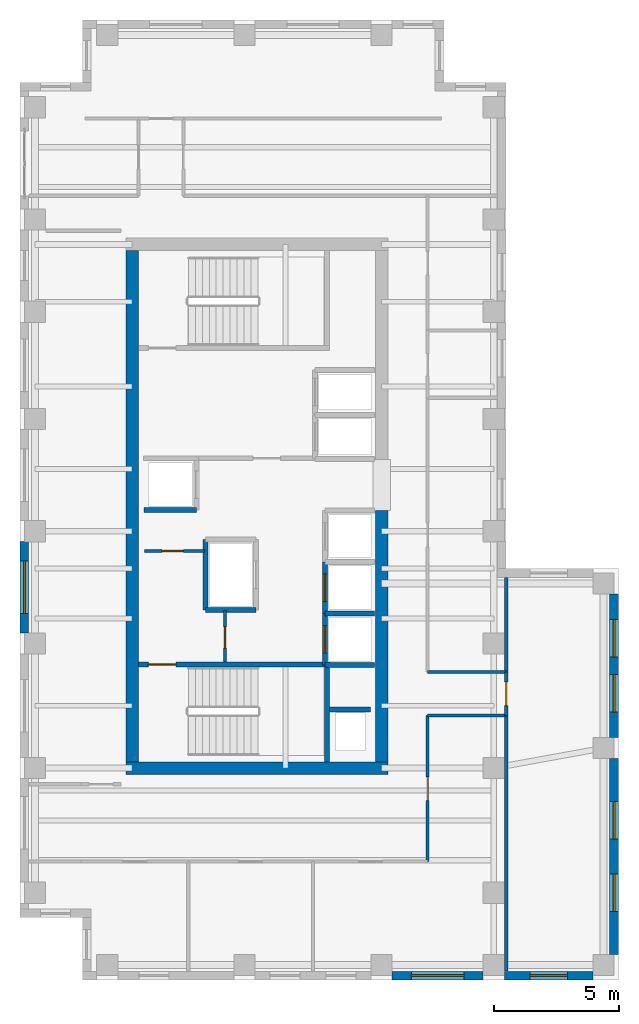
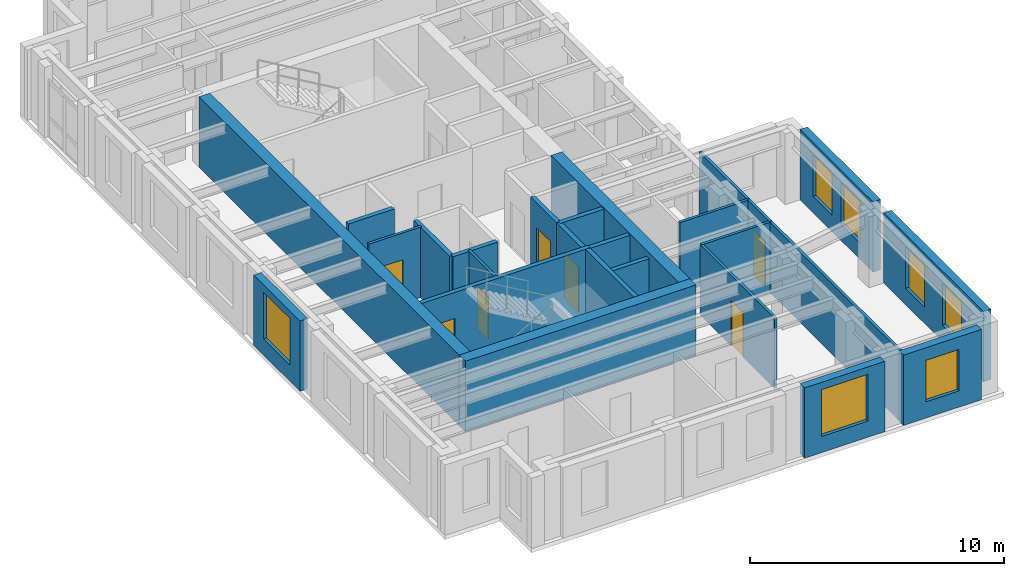
# One storey, part 6 of 10: 26 walls, 7 doors, 7 windows, 14 openings.
"""IFC4 building model written with IfcOpenShell, lengths in metres."""

from ifc_helpers import new_model, si_unit, direction, frame, frame_2d, origin, place, context, subcontext, project, spatial, rectangle, extrude, source, transform, mapped, material, layer, layer_set, type_object, element, fill, save


model = new_model("IFC4")

# Units and contexts
model_context = context("Model", 3, precision=1e-05, world=origin(), true_north=direction((0.0, 1.0)))
body_context = subcontext(model_context, "Body", "Model", "MODEL_VIEW")
ifc_project = project(units=[si_unit("LENGTHUNIT", "METRE"), si_unit("AREAUNIT", "SQUARE_METRE"), si_unit("VOLUMEUNIT", "CUBIC_METRE"), si_unit("PLANEANGLEUNIT", "RADIAN"), si_unit("MASSUNIT", "GRAM", prefix="KILO")], contexts=[model_context])

# Site, building, storey
site_placement = place(None, origin())
site = spatial("IfcSite", under=ifc_project, at=site_placement, CompositionType="ELEMENT")
building_placement = place(site_placement, origin())
building = spatial("IfcBuilding", under=site, at=building_placement, Name="Kharzan Plaza Tower", CompositionType="ELEMENT")
storey_placement = place(building_placement, frame((0.0, 0.0, 270.0)))
storey = spatial("IfcBuildingStorey", under=building, at=storey_placement, Name="L73", CompositionType="ELEMENT", Elevation=270.0)

# Wall, opening, window
ifc_material_1 = material(Name="Concrete C40/50", Category="concrete")
ifc_layer_1 = layer(ifc_material_1, 0.35009765625)
ifc_layer_set_1 = layer_set([ifc_layer_1], Name="Concrete C40/50")
wall_type_1 = type_object("IfcWallType", Name="WL-EXT-MAS-Z4", PredefinedType="SOLIDWALL", material=ifc_layer_set_1)
wall_1_placement = place(storey_placement, frame((0.175048828125, 17.576904296875, 0.0), z_axis=(0.0, 0.0, 1.0), x_axis=(0.0, -1.0, 0.0)))
wall_1 = element("IfcWall", 1, at=wall_1_placement, inside=storey, type_object=wall_type_1, Name="L73 Masonry-Frame Exterior Wall 14", PredefinedType="SOLIDWALL", context=body_context, shape_type="SweptSolid", body=[
    extrude(rectangle(XDim=3.65380859375, YDim=0.35009765625, at=frame_2d((1.826904296875, 0.0))), origin(), (0.0, 0.0, 1.0), 3.385009765625),
])
opening_1_placement = place(wall_1_placement, frame((0.777099609375, 0.0, 0.780029296875)))
opening_1 = element("IfcOpeningElement", 2, at=opening_1_placement, cuts=wall_1, Name="Opening W6", PredefinedType="OPENING", context=body_context, shape_type="SweptSolid", body=[
    extrude(rectangle(XDim=2.10009765625, YDim=2.25, at=frame_2d((1.050048828125, 1.125))), frame((0.0, 0.18505859375, 0.0), z_axis=(0.0, -1.0, 0.0), x_axis=(1.0, 0.0, 0.0)), (0.0, 0.0, 1.0), 0.3701171875),
])
ifc_material_2 = material(Name="Low-E Double Glazing", Category="glass")
window_type_1 = type_object("IfcWindowType", Name="WN-EXEC-2100x2250", PartitioningType="SINGLE_PANEL", PredefinedType="WINDOW", material=ifc_material_2)
shared_shape_1 = source(origin(), body_context, "Body", "SweptSolid", [
    extrude(rectangle(XDim=2.10009765625, YDim=2.25, at=frame_2d((1.050048828125, 1.125))), frame((0.0, 0.030029296875, 0.0), z_axis=(0.0, -1.0, 0.0), x_axis=(1.0, 0.0, 0.0)), (0.0, 0.0, 1.0), 0.06005859375),
])
window_1_placement = place(opening_1_placement, origin())
window_1 = element("IfcWindow", 3, at=window_1_placement, inside=storey, type_object=window_type_1, Name="L73 Recessed Solar-Control Window 14-1", OverallHeight=2.25, OverallWidth=2.10009765625, PartitioningType="SINGLE_PANEL", PredefinedType="WINDOW", context=body_context, shape_type="MappedRepresentation", body=[
    mapped(shared_shape_1, transform((0.0, 0.0, 0.0), x_axis=(1.0, 0.0, 0.0), y_axis=(0.0, 1.0, 0.0), z_axis=(0.0, 0.0, 1.0))),
])
fill(opening_1, window_1)

wall_2_placement = place(storey_placement, frame((14.923095703125, 0.175048828125, 0.0), z_axis=(0.0, 0.0, 1.0), x_axis=(1.0, 0.0, 0.0)))
wall_2 = element("IfcWall", 4, at=wall_2_placement, inside=storey, type_object=wall_type_1, Name="L73 Masonry-Frame Exterior Wall 23", PredefinedType="SOLIDWALL", context=body_context, shape_type="SweptSolid", body=[
    extrude(rectangle(XDim=3.65380859375, YDim=0.35009765625, at=frame_2d((1.826904296875, 0.0))), origin(), (0.0, 0.0, 1.0), 3.385009765625),
])
opening_2_placement = place(wall_2_placement, frame((0.777099609375, 0.0, 0.780029296875)))
opening_2 = element("IfcOpeningElement", 5, at=opening_2_placement, cuts=wall_2, Name="Opening W6", PredefinedType="OPENING", context=body_context, shape_type="SweptSolid", body=[
    extrude(rectangle(XDim=2.10009765625, YDim=2.25, at=frame_2d((1.050048828125, 1.125))), frame((0.0, 0.18505859375, 0.0), z_axis=(0.0, -1.0, 0.0), x_axis=(1.0, 0.0, 0.0)), (0.0, 0.0, 1.0), 0.3701171875),
])
window_2_placement = place(opening_2_placement, origin())
window_2 = element("IfcWindow", 6, at=window_2_placement, inside=storey, type_object=window_type_1, Name="L73 Recessed Solar-Control Window 23-1", OverallHeight=2.25, OverallWidth=2.10009765625, PartitioningType="SINGLE_PANEL", PredefinedType="WINDOW", context=body_context, shape_type="MappedRepresentation", body=[
    mapped(shared_shape_1, transform((0.0, 0.0, 0.0), x_axis=(1.0, 0.0, 0.0), y_axis=(0.0, 1.0, 0.0), z_axis=(0.0, 0.0, 1.0))),
])
fill(opening_2, window_2)

wall_3_placement = place(storey_placement, frame((19.423095703125, 0.175048828125, 0.0), z_axis=(0.0, 0.0, 1.0), x_axis=(1.0, 0.0, 0.0)))
wall_3 = element("IfcWall", 7, at=wall_3_placement, inside=storey, type_object=wall_type_1, Name="L73 Masonry-Frame Exterior Wall 24", PredefinedType="SOLIDWALL", context=body_context, shape_type="SweptSolid", body=[
    extrude(rectangle(XDim=3.553955078125, YDim=0.35009765625, at=frame_2d((1.77685546875, 0.0))), origin(), (0.0, 0.0, 1.0), 3.385009765625),
])
opening_3_placement = place(wall_3_placement, frame((1.030517578125, 0.0, 0.780029296875)))
opening_3 = element("IfcOpeningElement", 8, at=opening_3_placement, cuts=wall_3, Name="Opening W5", PredefinedType="OPENING", context=body_context, shape_type="SweptSolid", body=[
    extrude(rectangle(XDim=1.5, YDim=2.0, at=frame_2d((0.75, 1.0))), frame((0.0, 0.18505859375, 0.0), z_axis=(0.0, -1.0, 0.0), x_axis=(1.0, 0.0, 0.0)), (0.0, 0.0, 1.0), 0.3701171875),
])
window_type_2 = type_object("IfcWindowType", Name="WN-SLT-1500x2000", PartitioningType="SINGLE_PANEL", PredefinedType="WINDOW", material=ifc_material_2)
shared_shape_2 = source(origin(), body_context, "Body", "SweptSolid", [
    extrude(rectangle(XDim=1.5, YDim=2.0, at=frame_2d((0.75, 1.0))), frame((0.0, 0.030029296875, 0.0), z_axis=(0.0, -1.0, 0.0), x_axis=(1.0, 0.0, 0.0)), (0.0, 0.0, 1.0), 0.06005859375),
])
window_3_placement = place(opening_3_placement, origin())
window_3 = element("IfcWindow", 9, at=window_3_placement, inside=storey, type_object=window_type_2, Name="L73 Recessed Solar-Control Window 24-1", OverallHeight=2.0, OverallWidth=1.5, PartitioningType="SINGLE_PANEL", PredefinedType="WINDOW", context=body_context, shape_type="MappedRepresentation", body=[
    mapped(shared_shape_2, transform((0.0, 0.0, 0.0), x_axis=(1.0, 0.0, 0.0), y_axis=(0.0, 1.0, 0.0), z_axis=(0.0, 0.0, 1.0))),
])
fill(opening_3, window_3)

# Wall, openings, windows
wall_4_placement = place(storey_placement, frame((23.824951171875, 1.02294921875, 0.0), z_axis=(0.0, 0.0, 1.0), x_axis=(0.0, 1.0, 0.0)))
wall_4 = element("IfcWall", 10, at=wall_4_placement, inside=storey, type_object=wall_type_1, Name="L73 Masonry-Frame Exterior Wall 25", PredefinedType="SOLIDWALL", context=body_context, shape_type="SweptSolid", body=[
    extrude(rectangle(XDim=7.85400390625, YDim=0.35009765625, at=frame_2d((3.927001953125, 0.0))), origin(), (0.0, 0.0, 1.0), 3.385009765625),
])
opening_4_placement = place(wall_4_placement, frame((1.724609375, 0.0, 0.780029296875)))
opening_4 = element("IfcOpeningElement", 11, at=opening_4_placement, cuts=wall_4, Name="Opening W5", PredefinedType="OPENING", context=body_context, shape_type="SweptSolid", body=[
    extrude(rectangle(XDim=1.5, YDim=2.0, at=frame_2d((0.75, 1.0))), frame((0.0, 0.18505859375, 0.0), z_axis=(0.0, -1.0, 0.0), x_axis=(1.0, 0.0, 0.0)), (0.0, 0.0, 1.0), 0.3701171875),
])
opening_5_placement = place(wall_4_placement, frame((4.62939453125, 0.0, 0.780029296875)))
opening_5 = element("IfcOpeningElement", 12, at=opening_5_placement, cuts=wall_4, Name="Opening W5", PredefinedType="OPENING", context=body_context, shape_type="SweptSolid", body=[
    extrude(rectangle(XDim=1.5, YDim=2.0, at=frame_2d((0.75, 1.0))), frame((0.0, 0.18505859375, 0.0), z_axis=(0.0, -1.0, 0.0), x_axis=(1.0, 0.0, 0.0)), (0.0, 0.0, 1.0), 0.3701171875),
])
window_4_placement = place(opening_4_placement, origin())
window_4 = element("IfcWindow", 13, at=window_4_placement, inside=storey, type_object=window_type_2, Name="L73 Recessed Solar-Control Window 25-1", OverallHeight=2.0, OverallWidth=1.5, PartitioningType="SINGLE_PANEL", PredefinedType="WINDOW", context=body_context, shape_type="MappedRepresentation", body=[
    mapped(shared_shape_2, transform((0.0, 0.0, 0.0), x_axis=(1.0, 0.0, 0.0), y_axis=(0.0, 1.0, 0.0), z_axis=(0.0, 0.0, 1.0))),
])
fill(opening_4, window_4)
window_5_placement = place(opening_5_placement, origin())
window_5 = element("IfcWindow", 14, at=window_5_placement, inside=storey, type_object=window_type_2, Name="L73 Recessed Solar-Control Window 25-2", OverallHeight=2.0, OverallWidth=1.5, PartitioningType="SINGLE_PANEL", PredefinedType="WINDOW", context=body_context, shape_type="MappedRepresentation", body=[
    mapped(shared_shape_2, transform((0.0, 0.0, 0.0), x_axis=(1.0, 0.0, 0.0), y_axis=(0.0, 1.0, 0.0), z_axis=(0.0, 0.0, 1.0))),
])
fill(opening_5, window_5)

wall_5_placement = place(storey_placement, frame((23.824951171875, 9.722900390625, 0.0), z_axis=(0.0, 0.0, 1.0), x_axis=(0.0, 1.0, 0.0)))
wall_5 = element("IfcWall", 15, at=wall_5_placement, inside=storey, type_object=wall_type_1, Name="L73 Masonry-Frame Exterior Wall 26", PredefinedType="SOLIDWALL", context=body_context, shape_type="SweptSolid", body=[
    extrude(rectangle(XDim=5.754150390625, YDim=0.35009765625, at=frame_2d((2.876953125, 0.0))), origin(), (0.0, 0.0, 1.0), 3.385009765625),
])
opening_6_placement = place(wall_5_placement, frame((1.024658203125, 0.0, 0.780029296875)))
opening_6 = element("IfcOpeningElement", 16, at=opening_6_placement, cuts=wall_5, Name="Opening W5", PredefinedType="OPENING", context=body_context, shape_type="SweptSolid", body=[
    extrude(rectangle(XDim=1.5, YDim=2.0, at=frame_2d((0.75, 1.0))), frame((0.0, 0.18505859375, 0.0), z_axis=(0.0, -1.0, 0.0), x_axis=(1.0, 0.0, 0.0)), (0.0, 0.0, 1.0), 0.3701171875),
])
opening_7_placement = place(wall_5_placement, frame((3.229248046875, 0.0, 0.780029296875)))
opening_7 = element("IfcOpeningElement", 17, at=opening_7_placement, cuts=wall_5, Name="Opening W5", PredefinedType="OPENING", context=body_context, shape_type="SweptSolid", body=[
    extrude(rectangle(XDim=1.5, YDim=2.0, at=frame_2d((0.75, 1.0))), frame((0.0, 0.18505859375, 0.0), z_axis=(0.0, -1.0, 0.0), x_axis=(1.0, 0.0, 0.0)), (0.0, 0.0, 1.0), 0.3701171875),
])
window_6_placement = place(opening_6_placement, origin())
window_6 = element("IfcWindow", 18, at=window_6_placement, inside=storey, type_object=window_type_2, Name="L73 Recessed Solar-Control Window 26-1", OverallHeight=2.0, OverallWidth=1.5, PartitioningType="SINGLE_PANEL", PredefinedType="WINDOW", context=body_context, shape_type="MappedRepresentation", body=[
    mapped(shared_shape_2, transform((0.0, 0.0, 0.0), x_axis=(1.0, 0.0, 0.0), y_axis=(0.0, 1.0, 0.0), z_axis=(0.0, 0.0, 1.0))),
])
fill(opening_6, window_6)
window_7_placement = place(opening_7_placement, origin())
window_7 = element("IfcWindow", 19, at=window_7_placement, inside=storey, type_object=window_type_2, Name="L73 Recessed Solar-Control Window 26-2", OverallHeight=2.0, OverallWidth=1.5, PartitioningType="SINGLE_PANEL", PredefinedType="WINDOW", context=body_context, shape_type="MappedRepresentation", body=[
    mapped(shared_shape_2, transform((0.0, 0.0, 0.0), x_axis=(1.0, 0.0, 0.0), y_axis=(0.0, 1.0, 0.0), z_axis=(0.0, 0.0, 1.0))),
])
fill(opening_7, window_7)

# Wall, opening, door
ifc_material_3 = material(Name="Fire-Rated Gypsum Board Partition", Category="gypsum")
ifc_layer_2 = layer(ifc_material_3, 0.125)
ifc_layer_set_2 = layer_set([ifc_layer_2], Name="Fire-Rated Gypsum Board Partition")
wall_type_2 = type_object("IfcWallType", Name="WL-INT-PART-125", PredefinedType="PARTITIONING", material=ifc_layer_set_2)
wall_6_placement = place(storey_placement, frame((8.219970703125, 12.75, 0.0), z_axis=(0.0, 0.0, 1.0), x_axis=(0.0, 1.0, 0.0)))
wall_6 = element("IfcWall", 20, at=wall_6_placement, inside=storey, type_object=wall_type_2, Name="L73 Interior Partition CA-K1E", PredefinedType="PARTITIONING", context=body_context, shape_type="SweptSolid", body=[
    extrude(rectangle(XDim=2.070068359375, YDim=0.125, at=frame_2d((1.03515625, 0.0))), origin(), (0.0, 0.0, 1.0), 3.385009765625),
])
opening_8_placement = place(wall_6_placement, frame((0.56005859375, 0.0, 0.0)))
opening_8 = element("IfcOpeningElement", 21, at=opening_8_placement, cuts=wall_6, Name="Opening RD1", PredefinedType="OPENING", context=body_context, shape_type="SweptSolid", body=[
    extrude(rectangle(XDim=0.85009765625, YDim=2.10009765625, at=frame_2d((0.425048828125, 1.050048828125))), frame((0.0, 0.072509765625, 0.0), z_axis=(0.0, -1.0, 0.0), x_axis=(1.0, 0.0, 0.0)), (0.0, 0.0, 1.0), 0.14501953125),
])
ifc_material_4 = material(Name="Powder-Coated Fire-Rated Steel", Category="steel")
door_type_1 = type_object("IfcDoorType", Name="DR-RISER-900", OperationType="NOTDEFINED", PredefinedType="DOOR", material=ifc_material_4)
shared_shape_3 = source(origin(), body_context, "Body", "SweptSolid", [
    extrude(rectangle(XDim=0.85009765625, YDim=2.10009765625, at=frame_2d((0.425048828125, 1.050048828125))), frame((0.0, 0.02490234375, 0.0), z_axis=(0.0, -1.0, 0.0), x_axis=(1.0, 0.0, 0.0)), (0.0, 0.0, 1.0), 0.050048828125),
])
door_1_placement = place(opening_8_placement, origin())
door_1 = element("IfcDoor", 22, at=door_1_placement, inside=storey, type_object=door_type_1, Name="L73 Core Service Store Door", OperationType="SINGLE_SWING_LEFT", OverallHeight=2.10009765625, OverallWidth=0.85009765625, PredefinedType="DOOR", context=body_context, shape_type="MappedRepresentation", body=[
    mapped(shared_shape_3, transform((0.0, 0.0, 0.0), x_axis=(1.0, 0.0, 0.0), y_axis=(0.0, 1.0, 0.0), z_axis=(0.0, 0.0, 1.0))),
])
fill(opening_8, door_1)

wall_7_placement = place(storey_placement, frame((5.0, 17.199951171875, 0.0), z_axis=(0.0, 0.0, 1.0), x_axis=(1.0, 0.0, 0.0)))
wall_7 = element("IfcWall", 23, at=wall_7_placement, inside=storey, type_object=wall_type_2, Name="L73 Interior Partition CA-K1N2", PredefinedType="PARTITIONING", context=body_context, shape_type="SweptSolid", body=[
    extrude(rectangle(XDim=2.39990234375, YDim=0.125, at=frame_2d((1.199951171875, 0.0))), origin(), (0.0, 0.0, 1.0), 3.385009765625),
])
opening_9_placement = place(wall_7_placement, frame((0.699951171875, 0.0, 0.0)))
opening_9 = element("IfcOpeningElement", 24, at=opening_9_placement, cuts=wall_7, Name="Opening RD1", PredefinedType="OPENING", context=body_context, shape_type="SweptSolid", body=[
    extrude(rectangle(XDim=0.85009765625, YDim=2.10009765625, at=frame_2d((0.425048828125, 1.050048828125))), frame((0.0, 0.072509765625, 0.0), z_axis=(0.0, -1.0, 0.0), x_axis=(1.0, 0.0, 0.0)), (0.0, 0.0, 1.0), 0.14501953125),
])
door_2_placement = place(opening_9_placement, origin())
door_2 = element("IfcDoor", 25, at=door_2_placement, inside=storey, type_object=door_type_1, Name="L73 Core Storage Room Door", OperationType="SINGLE_SWING_RIGHT", OverallHeight=2.10009765625, OverallWidth=0.85009765625, PredefinedType="DOOR", context=body_context, shape_type="MappedRepresentation", body=[
    mapped(shared_shape_3, transform((0.0, 0.0, 0.0), x_axis=(1.0, 0.0, 0.0), y_axis=(0.0, 1.0, 0.0), z_axis=(0.0, 0.0, 1.0))),
])
fill(opening_9, door_2)

wall_8_placement = place(storey_placement, frame((16.35009765625, 4.75, 0.0), z_axis=(0.0, 0.0, 1.0), x_axis=(0.0, 1.0, 0.0)))
wall_8 = element("IfcWall", 26, at=wall_8_placement, inside=storey, type_object=wall_type_2, Name="L73 Interior Partition SH-AEW1", PredefinedType="PARTITIONING", context=body_context, shape_type="SweptSolid", body=[
    extrude(rectangle(XDim=5.85009765625, YDim=0.125, at=frame_2d((2.925048828125, 0.0))), origin(), (0.0, 0.0, 1.0), 3.385009765625),
])
opening_10_placement = place(wall_8_placement, frame((2.449951171875, 0.0, 0.0)))
opening_10 = element("IfcOpeningElement", 27, at=opening_10_placement, cuts=wall_8, Name="Opening OD1", PredefinedType="OPENING", context=body_context, shape_type="SweptSolid", body=[
    extrude(rectangle(XDim=0.949951171875, YDim=2.14990234375, at=frame_2d((0.47509765625, 1.074951171875))), frame((0.0, 0.072509765625, 0.0), z_axis=(0.0, -1.0, 0.0), x_axis=(1.0, 0.0, 0.0)), (0.0, 0.0, 1.0), 0.14501953125),
])
ifc_material_5 = material(Name="Acoustic Solid-Core Stained Oak", Category="timber")
door_type_2 = type_object("IfcDoorType", Name="DR-OFF-SINGLE", OperationType="NOTDEFINED", PredefinedType="DOOR", material=ifc_material_5)
shared_shape_4 = source(origin(), body_context, "Body", "SweptSolid", [
    extrude(rectangle(XDim=0.949951171875, YDim=2.14990234375, at=frame_2d((0.47509765625, 1.074951171875))), frame((0.0, 0.02490234375, 0.0), z_axis=(0.0, -1.0, 0.0), x_axis=(1.0, 0.0, 0.0)), (0.0, 0.0, 1.0), 0.050048828125),
])
door_3_placement = place(opening_10_placement, origin())
door_3 = element("IfcDoor", 28, at=door_3_placement, inside=storey, type_object=door_type_2, Name="L73 South Slot Office Door", OperationType="SINGLE_SWING_LEFT", OverallHeight=2.14990234375, OverallWidth=0.949951171875, PredefinedType="DOOR", context=body_context, shape_type="MappedRepresentation", body=[
    mapped(shared_shape_4, transform((0.0, 0.0, 0.0), x_axis=(1.0, 0.0, 0.0), y_axis=(0.0, 1.0, 0.0), z_axis=(0.0, 0.0, 1.0))),
])
fill(opening_10, door_3)

wall_9_placement = place(storey_placement, frame((19.5, 10.60009765625, 0.0), z_axis=(0.0, 0.0, 1.0), x_axis=(0.0, 1.0, 0.0)))
wall_9 = element("IfcWall", 29, at=wall_9_placement, inside=storey, type_object=wall_type_2, Name="L73 Interior Partition SH-SHD1", PredefinedType="PARTITIONING", context=body_context, shape_type="SweptSolid", body=[
    extrude(rectangle(XDim=1.75, YDim=0.125, at=frame_2d((0.875, 0.0))), origin(), (0.0, 0.0, 1.0), 3.385009765625),
])
opening_11_placement = place(wall_9_placement, frame((0.39990234375, 0.0, 0.0)))
opening_11 = element("IfcOpeningElement", 30, at=opening_11_placement, cuts=wall_9, Name="Opening OD1", PredefinedType="OPENING", context=body_context, shape_type="SweptSolid", body=[
    extrude(rectangle(XDim=0.949951171875, YDim=2.14990234375, at=frame_2d((0.47509765625, 1.074951171875))), frame((0.0, 0.072509765625, 0.0), z_axis=(0.0, -1.0, 0.0), x_axis=(1.0, 0.0, 0.0)), (0.0, 0.0, 1.0), 0.14501953125),
])
door_4_placement = place(opening_11_placement, origin())
door_4 = element("IfcDoor", 31, at=door_4_placement, inside=storey, type_object=door_type_2, Name="L73 Shoulder Conference Door", OperationType="SINGLE_SWING_RIGHT", OverallHeight=2.14990234375, OverallWidth=0.949951171875, PredefinedType="DOOR", context=body_context, shape_type="MappedRepresentation", body=[
    mapped(shared_shape_4, transform((0.0, 0.0, 0.0), x_axis=(1.0, 0.0, 0.0), y_axis=(0.0, 1.0, 0.0), z_axis=(0.0, 0.0, 1.0))),
])
fill(opening_11, door_4)

ifc_layer_3 = layer(ifc_material_1, 0.199951171875)
ifc_layer_set_3 = layer_set([ifc_layer_3], Name="Concrete C40/50")
wall_type_3 = type_object("IfcWallType", Name="WL-INT-SHAFT-200", PredefinedType="PARTITIONING", material=ifc_layer_set_3)
wall_10_placement = place(storey_placement, frame((12.22998046875, 12.6298828125, 0.0), z_axis=(0.0, 0.0, 1.0), x_axis=(0.0, 1.0, 0.0)))
wall_10 = element("IfcWall", 32, at=wall_10_placement, inside=storey, type_object=wall_type_3, Name="L73 Interior Partition SHF-PL-H1-W", PredefinedType="PARTITIONING", context=body_context, shape_type="SweptSolid", body=[
    extrude(rectangle(XDim=2.070068359375, YDim=0.199951171875, at=frame_2d((1.03515625, 0.0))), origin(), (0.0, 0.0, 1.0), 3.385009765625),
])
opening_12_placement = place(wall_10_placement, frame((0.485107421875, 0.0, 0.0)))
opening_12 = element("IfcOpeningElement", 33, at=opening_12_placement, cuts=wall_10, Name="Opening LD", PredefinedType="OPENING", context=body_context, shape_type="SweptSolid", body=[
    extrude(rectangle(XDim=1.10009765625, YDim=2.199951171875, at=frame_2d((0.550048828125, 1.10009765625))), frame((0.0, 0.10986328125, 0.0), z_axis=(0.0, -1.0, 0.0), x_axis=(1.0, 0.0, 0.0)), (0.0, 0.0, 1.0), 0.219970703125),
])
ifc_material_6 = material(Name="Brushed Stainless Steel", Category="steel")
door_type_3 = type_object("IfcDoorType", Name="DR-LIFT-SLIDE", OperationType="SLIDING_TO_LEFT", PredefinedType="DOOR", material=ifc_material_6)
shared_shape_5 = source(origin(), body_context, "Body", "SweptSolid", [
    extrude(rectangle(XDim=1.10009765625, YDim=2.199951171875, at=frame_2d((0.550048828125, 1.10009765625))), frame((0.0, 0.02490234375, 0.0), z_axis=(0.0, -1.0, 0.0), x_axis=(1.0, 0.0, 0.0)), (0.0, 0.0, 1.0), 0.050048828125),
])
door_5_placement = place(opening_12_placement, origin())
door_5 = element("IfcDoor", 34, at=door_5_placement, inside=storey, type_object=door_type_3, Name="L73 High-Rise Passenger Lift PL-H1 Sliding Landing Door", OperationType="SLIDING_TO_LEFT", OverallHeight=2.199951171875, OverallWidth=1.10009765625, PredefinedType="DOOR", context=body_context, shape_type="MappedRepresentation", body=[
    mapped(shared_shape_5, transform((0.0, 0.0, 0.0), x_axis=(1.0, 0.0, 0.0), y_axis=(0.0, 1.0, 0.0), z_axis=(0.0, 0.0, 1.0))),
])
fill(opening_12, door_5)

wall_11_placement = place(storey_placement, frame((12.22998046875, 14.699951171875, 0.0), z_axis=(0.0, 0.0, 1.0), x_axis=(0.0, 1.0, 0.0)))
wall_11 = element("IfcWall", 35, at=wall_11_placement, inside=storey, type_object=wall_type_3, Name="L73 Interior Partition SHF-PL-H2-W", PredefinedType="PARTITIONING", context=body_context, shape_type="SweptSolid", body=[
    extrude(rectangle(XDim=2.070068359375, YDim=0.199951171875, at=frame_2d((1.03515625, 0.0))), origin(), (0.0, 0.0, 1.0), 3.385009765625),
])
opening_13_placement = place(wall_11_placement, frame((0.485107421875, 0.0, 0.0)))
opening_13 = element("IfcOpeningElement", 36, at=opening_13_placement, cuts=wall_11, Name="Opening LD", PredefinedType="OPENING", context=body_context, shape_type="SweptSolid", body=[
    extrude(rectangle(XDim=1.10009765625, YDim=2.199951171875, at=frame_2d((0.550048828125, 1.10009765625))), frame((0.0, 0.10986328125, 0.0), z_axis=(0.0, -1.0, 0.0), x_axis=(1.0, 0.0, 0.0)), (0.0, 0.0, 1.0), 0.219970703125),
])
door_6_placement = place(opening_13_placement, origin())
door_6 = element("IfcDoor", 37, at=door_6_placement, inside=storey, type_object=door_type_3, Name="L73 High-Rise Passenger Lift PL-H2 Sliding Landing Door", OperationType="SLIDING_TO_LEFT", OverallHeight=2.199951171875, OverallWidth=1.10009765625, PredefinedType="DOOR", context=body_context, shape_type="MappedRepresentation", body=[
    mapped(shared_shape_5, transform((0.0, 0.0, 0.0), x_axis=(1.0, 0.0, 0.0), y_axis=(0.0, 1.0, 0.0), z_axis=(0.0, 0.0, 1.0))),
])
fill(opening_13, door_6)

ifc_material_7 = material(Name="Concrete C50/60", Category="concrete")
ifc_layer_4 = layer(ifc_material_7, 0.199951171875)
ifc_layer_set_4 = layer_set([ifc_layer_4], Name="Concrete C50/60")
wall_type_4 = type_object("IfcWallType", Name="WL-SHAFT-RC200", PredefinedType="SHEAR", material=ifc_layer_set_4)
wall_12_placement = place(storey_placement, frame((4.751953125, 12.655029296875, 0.0), z_axis=(0.0, 0.0, 1.0), x_axis=(1.0, 0.0, 0.0)))
wall_12 = element("IfcWall", 38, at=wall_12_placement, inside=storey, type_object=wall_type_4, Name="L73 Stair ST-1 North RC Shaft Wall", PredefinedType="SHEAR", context=body_context, shape_type="SweptSolid", body=[
    extrude(rectangle(XDim=7.653076171875, YDim=0.199951171875, at=frame_2d((3.82666015625, 0.0))), origin(), (0.0, 0.0, 1.0), 3.39990234375),
])
opening_14_placement = place(wall_12_placement, frame((0.39990234375, 0.0, 0.0)))
opening_14 = element("IfcOpeningElement", 39, at=opening_14_placement, cuts=wall_12, Name="Opening SD1", PredefinedType="OPENING", context=body_context, shape_type="SweptSolid", body=[
    extrude(rectangle(XDim=1.10009765625, YDim=2.14990234375, at=frame_2d((0.550048828125, 1.074951171875))), frame((0.0, 0.10986328125, 0.0), z_axis=(0.0, -1.0, 0.0), x_axis=(1.0, 0.0, 0.0)), (0.0, 0.0, 1.0), 0.219970703125),
])
ifc_material_8 = material(Name="Fire-Rated Hollow Galvanized Steel", Category="steel")
door_type_4 = type_object("IfcDoorType", Name="DR-STAIR-FD120", OperationType="NOTDEFINED", PredefinedType="DOOR", material=ifc_material_8)
shared_shape_6 = source(origin(), body_context, "Body", "SweptSolid", [
    extrude(rectangle(XDim=1.10009765625, YDim=2.14990234375, at=frame_2d((0.550048828125, 1.074951171875))), frame((0.0, 0.02490234375, 0.0), z_axis=(0.0, -1.0, 0.0), x_axis=(1.0, 0.0, 0.0)), (0.0, 0.0, 1.0), 0.050048828125),
])
door_7_placement = place(opening_14_placement, origin())
door_7 = element("IfcDoor", 40, at=door_7_placement, inside=storey, type_object=door_type_4, Name="L73 Stair ST-1 Fire Exit Door", OperationType="SINGLE_SWING_RIGHT", OverallHeight=2.14990234375, OverallWidth=1.10009765625, PredefinedType="DOOR", context=body_context, shape_type="MappedRepresentation", body=[
    mapped(shared_shape_6, transform((0.0, 0.0, 0.0), x_axis=(1.0, 0.0, 0.0), y_axis=(0.0, 1.0, 0.0), z_axis=(0.0, 0.0, 1.0))),
])
fill(opening_14, door_7)

# Walls
shared_shape_7 = source(origin(), body_context, "Body", "SweptSolid", [
    extrude(rectangle(XDim=1.630126953125, YDim=0.199951171875, at=frame_2d((0.81494140625, 0.0))), origin(), (0.0, 0.0, 1.0), 3.385009765625),
])
wall_13_placement = place(storey_placement, frame((12.419921875, 10.85009765625, 0.0), z_axis=(0.0, 0.0, 1.0), x_axis=(1.0, 0.0, 0.0)))
element("IfcWall", 41, at=wall_13_placement, inside=storey, type_object=wall_type_3, Name="L73 Interior Partition CA-RSRA-N", PredefinedType="PARTITIONING", context=body_context, shape_type="MappedRepresentation", body=[
    mapped(shared_shape_7, transform((0.0, 0.0, 0.0), x_axis=(1.0, 0.0, 0.0), y_axis=(0.0, 1.0, 0.0), z_axis=(0.0, 0.0, 1.0))),
])
shared_shape_8 = source(origin(), body_context, "Body", "SweptSolid", [
    extrude(rectangle(XDim=2.090087890625, YDim=0.199951171875, at=frame_2d((1.044921875, 0.0))), origin(), (0.0, 0.0, 1.0), 3.385009765625),
])
wall_14_placement = place(storey_placement, frame((4.97998046875, 18.840087890625, 0.0), z_axis=(0.0, 0.0, 1.0), x_axis=(1.0, 0.0, 0.0)))
element("IfcWall", 42, at=wall_14_placement, inside=storey, type_object=wall_type_3, Name="L73 Interior Partition SHF-PL-H4-S", PredefinedType="PARTITIONING", context=body_context, shape_type="MappedRepresentation", body=[
    mapped(shared_shape_8, transform((0.0, 0.0, 0.0), x_axis=(1.0, 0.0, 0.0), y_axis=(0.0, 1.0, 0.0), z_axis=(0.0, 0.0, 1.0))),
])
shared_shape_9 = source(origin(), body_context, "Body", "SweptSolid", [
    extrude(rectangle(XDim=2.0400390625, YDim=0.199951171875, at=frame_2d((1.02001953125, 0.0))), origin(), (0.0, 0.0, 1.0), 3.385009765625),
])
wall_15_placement = place(storey_placement, frame((7.429931640625, 14.830078125, 0.0), z_axis=(0.0, 0.0, 1.0), x_axis=(1.0, 0.0, 0.0)))
element("IfcWall", 43, at=wall_15_placement, inside=storey, type_object=wall_type_3, Name="L73 Interior Partition SHF-SVL-1-S", PredefinedType="PARTITIONING", context=body_context, shape_type="MappedRepresentation", body=[
    mapped(shared_shape_9, transform((0.0, 0.0, 0.0), x_axis=(1.0, 0.0, 0.0), y_axis=(0.0, 1.0, 0.0), z_axis=(0.0, 0.0, 1.0))),
])
shared_shape_10 = source(origin(), body_context, "Body", "SweptSolid", [
    extrude(rectangle(XDim=2.83984375, YDim=0.199951171875, at=frame_2d((1.419921875, 0.0))), origin(), (0.0, 0.0, 1.0), 3.385009765625),
])
wall_16_placement = place(storey_placement, frame((7.429931640625, 14.830078125, 0.0), z_axis=(0.0, 0.0, 1.0), x_axis=(0.0, 1.0, 0.0)))
element("IfcWall", 44, at=wall_16_placement, inside=storey, type_object=wall_type_3, Name="L73 Interior Partition SHF-SVL-1-W", PredefinedType="PARTITIONING", context=body_context, shape_type="MappedRepresentation", body=[
    mapped(shared_shape_10, transform((0.0, 0.0, 0.0), x_axis=(1.0, 0.0, 0.0), y_axis=(0.0, 1.0, 0.0), z_axis=(0.0, 0.0, 1.0))),
])
shared_shape_11 = source(origin(), body_context, "Body", "SweptSolid", [
    extrude(rectangle(XDim=1.989990234375, YDim=0.199951171875, at=frame_2d((0.9951171875, 0.0))), origin(), (0.0, 0.0, 1.0), 3.385009765625),
])
for number, where, z_axis, x_axis, name in (
    (45, (12.22998046875, 14.699951171875, 0.0), (0.0, 0.0, 1.0), (1.0, 0.0, 0.0), "L73 Interior Partition SHF-PL-H1-N"),
    (46, (12.22998046875, 12.6298828125, 0.0), (0.0, 0.0, 1.0), (1.0, 0.0, 0.0), "L73 Interior Partition SHF-PL-H1-S"),
):
    element("IfcWall", number, at=place(storey_placement, frame(where, z_axis=z_axis, x_axis=x_axis)), inside=storey, type_object=wall_type_3, Name=name, PredefinedType="PARTITIONING", context=body_context, shape_type="MappedRepresentation", body=[
        mapped(shared_shape_11, transform((0.0, 0.0, 0.0), x_axis=(1.0, 0.0, 0.0), y_axis=(0.0, 1.0, 0.0), z_axis=(0.0, 0.0, 1.0))),
    ])
ifc_layer_5 = layer(ifc_material_7, 0.5)
ifc_layer_set_5 = layer_set([ifc_layer_5], Name="Concrete C50/60")
wall_type_5 = type_object("IfcWallType", Name="WL-CORE-500", PredefinedType="SHEAR", material=ifc_layer_set_5)
shared_shape_12 = source(origin(), body_context, "Body", "SweptSolid", [
    extrude(rectangle(XDim=10.070068359375, YDim=0.5, at=frame_2d((5.03515625, 0.0))), origin(), (0.0, 0.0, 1.0), 3.39990234375),
])
wall_17_placement = place(storey_placement, frame((14.5, 8.75, 0.0), z_axis=(0.0, 0.0, 1.0), x_axis=(0.0, 1.0, 0.0)))
element("IfcWall", 47, at=wall_17_placement, inside=storey, type_object=wall_type_5, Name="L73 CORE-A east shear pier 1", PredefinedType="SHEAR", context=body_context, shape_type="MappedRepresentation", body=[
    mapped(shared_shape_12, transform((0.0, 0.0, 0.0), x_axis=(1.0, 0.0, 0.0), y_axis=(0.0, 1.0, 0.0), z_axis=(0.0, 0.0, 1.0))),
])
shared_shape_13 = source(origin(), body_context, "Body", "SweptSolid", [
    extrude(rectangle(XDim=10.5, YDim=0.5, at=frame_2d((5.25, 0.0))), origin(), (0.0, 0.0, 1.0), 3.39990234375),
])
wall_18_placement = place(storey_placement, frame((4.25, 8.5, 0.0), z_axis=(0.0, 0.0, 1.0), x_axis=(1.0, 0.0, 0.0)))
element("IfcWall", 48, at=wall_18_placement, inside=storey, type_object=wall_type_5, Name="L73 CORE-A south RC shear wall", PredefinedType="SHEAR", context=body_context, shape_type="MappedRepresentation", body=[
    mapped(shared_shape_13, transform((0.0, 0.0, 0.0), x_axis=(1.0, 0.0, 0.0), y_axis=(0.0, 1.0, 0.0), z_axis=(0.0, 0.0, 1.0))),
])
shared_shape_14 = source(origin(), body_context, "Body", "SweptSolid", [
    extrude(rectangle(XDim=20.5, YDim=0.5, at=frame_2d((10.25, 0.0))), origin(), (0.0, 0.0, 1.0), 3.39990234375),
])
wall_19_placement = place(storey_placement, frame((4.5, 8.75, 0.0), z_axis=(0.0, 0.0, 1.0), x_axis=(0.0, 1.0, 0.0)))
element("IfcWall", 49, at=wall_19_placement, inside=storey, type_object=wall_type_5, Name="L73 CORE-A west RC shear wall", PredefinedType="SHEAR", context=body_context, shape_type="MappedRepresentation", body=[
    mapped(shared_shape_14, transform((0.0, 0.0, 0.0), x_axis=(1.0, 0.0, 0.0), y_axis=(0.0, 1.0, 0.0), z_axis=(0.0, 0.0, 1.0))),
])
shared_shape_15 = source(origin(), body_context, "Body", "SweptSolid", [
    extrude(rectangle(XDim=3.802978515625, YDim=0.199951171875, at=frame_2d((1.9013671875, 0.0))), origin(), (0.0, 0.0, 1.0), 3.39990234375),
])
wall_20_placement = place(storey_placement, frame((12.304931640625, 8.751953125, 0.0), z_axis=(0.0, 0.0, 1.0), x_axis=(0.0, 1.0, 0.0)))
element("IfcWall", 50, at=wall_20_placement, inside=storey, type_object=wall_type_4, Name="L73 Stair ST-1 East RC Shaft Wall", PredefinedType="SHEAR", context=body_context, shape_type="MappedRepresentation", body=[
    mapped(shared_shape_15, transform((0.0, 0.0, 0.0), x_axis=(1.0, 0.0, 0.0), y_axis=(0.0, 1.0, 0.0), z_axis=(0.0, 0.0, 1.0))),
])
shared_shape_16 = source(origin(), body_context, "Body", "SweptSolid", [
    extrude(rectangle(XDim=3.7978515625, YDim=0.125, at=frame_2d((1.89892578125, 0.0))), origin(), (0.0, 0.0, 1.0), 3.385009765625),
])
wall_21_placement = place(storey_placement, frame((19.5, 12.35009765625, 0.0), z_axis=(0.0, 0.0, 1.0), x_axis=(0.0, 1.0, 0.0)))
element("IfcWall", 51, at=wall_21_placement, inside=storey, type_object=wall_type_2, Name="L73 Interior Partition SH-SHW2", PredefinedType="PARTITIONING", context=body_context, shape_type="MappedRepresentation", body=[
    mapped(shared_shape_16, transform((0.0, 0.0, 0.0), x_axis=(1.0, 0.0, 0.0), y_axis=(0.0, 1.0, 0.0), z_axis=(0.0, 0.0, 1.0))),
])
shared_shape_17 = source(origin(), body_context, "Body", "SweptSolid", [
    extrude(rectangle(XDim=10.248046875, YDim=0.125, at=frame_2d((5.1240234375, 0.0))), origin(), (0.0, 0.0, 1.0), 3.385009765625),
])
wall_22_placement = place(storey_placement, frame((19.5, 0.35205078125, 0.0), z_axis=(0.0, 0.0, 1.0), x_axis=(0.0, 1.0, 0.0)))
element("IfcWall", 52, at=wall_22_placement, inside=storey, type_object=wall_type_2, Name="L73 Interior Partition SH-SHW1", PredefinedType="PARTITIONING", context=body_context, shape_type="MappedRepresentation", body=[
    mapped(shared_shape_17, transform((0.0, 0.0, 0.0), x_axis=(1.0, 0.0, 0.0), y_axis=(0.0, 1.0, 0.0), z_axis=(0.0, 0.0, 1.0))),
])
shared_shape_18 = source(origin(), body_context, "Body", "SweptSolid", [
    extrude(rectangle(XDim=3.14990234375, YDim=0.125, at=frame_2d((1.574951171875, 0.0))), origin(), (0.0, 0.0, 1.0), 3.385009765625),
])
for number, where, z_axis, x_axis, name in (
    (53, (16.35009765625, 12.35009765625, 0.0), (0.0, 0.0, 1.0), (1.0, 0.0, 0.0), "L73 Interior Partition SH-AEN0"),
    (54, (16.35009765625, 10.60009765625, 0.0), (0.0, 0.0, 1.0), (1.0, 0.0, 0.0), "L73 Interior Partition SH-AES0"),
):
    element("IfcWall", number, at=place(storey_placement, frame(where, z_axis=z_axis, x_axis=x_axis)), inside=storey, type_object=wall_type_2, Name=name, PredefinedType="PARTITIONING", context=body_context, shape_type="MappedRepresentation", body=[
        mapped(shared_shape_18, transform((0.0, 0.0, 0.0), x_axis=(1.0, 0.0, 0.0), y_axis=(0.0, 1.0, 0.0), z_axis=(0.0, 0.0, 1.0))),
    ])

save(model, "model.ifc")
